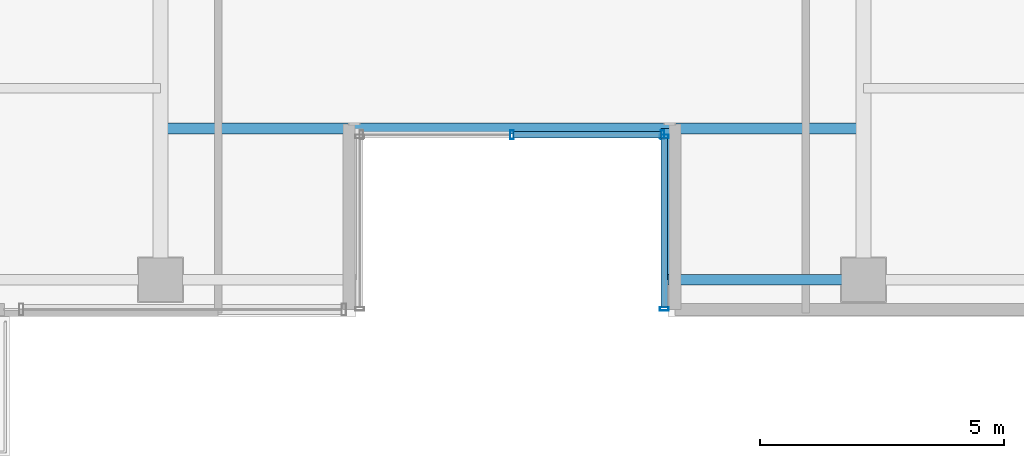
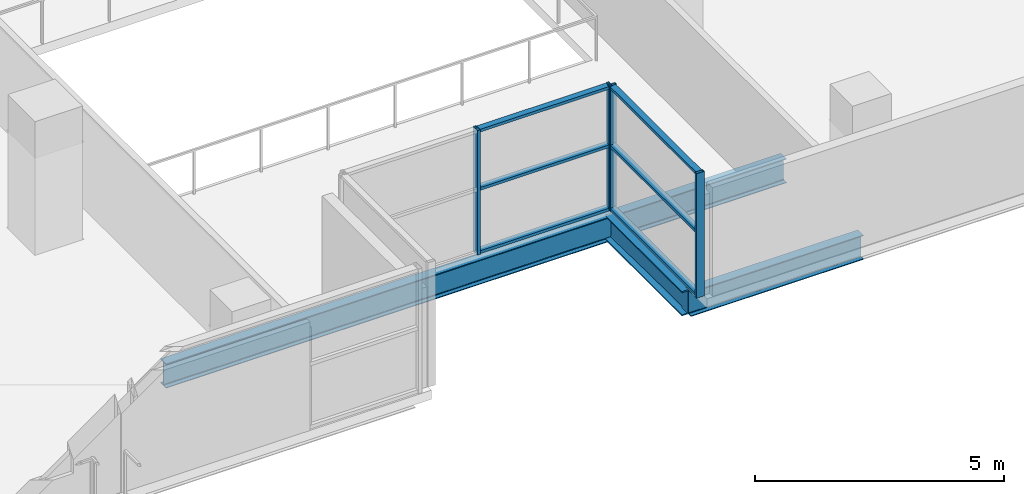
# One storey, part 12 of 30: 10 members, 3 beams, 2 elements without a shape of their own.
"""IFC4 building model written with IfcOpenShell, lengths in metres."""

from ifc_helpers import new_model, si_unit, direction, frame, origin, origin_2d, place, context, subcontext, project, spatial, hollow_rectangle, i_section, extrude, source, transform, mapped, material, layer, layer_set, material_profile, profile_set, type_object, element, aggregate, save


model = new_model("IFC4")

# Units and contexts
model_context = context("Model", 3, precision=1e-05, world=origin(), true_north=direction((0.0, 1.0)))
body_context = subcontext(model_context, "Body", "Model", "MODEL_VIEW")
ifc_project = project(units=[si_unit("LENGTHUNIT", "METRE"), si_unit("AREAUNIT", "SQUARE_METRE"), si_unit("VOLUMEUNIT", "CUBIC_METRE"), si_unit("PLANEANGLEUNIT", "RADIAN"), si_unit("MASSUNIT", "GRAM", prefix="KILO")], contexts=[model_context])

# Site, building, storey
site_placement = place(None, origin())
site = spatial("IfcSite", under=ifc_project, at=site_placement, CompositionType="ELEMENT")
building_placement = place(site_placement, origin())
building = spatial("IfcBuilding", under=site, at=building_placement, Name="Zarnakvel Exchange Tower", CompositionType="ELEMENT")
storey_placement = place(building_placement, frame((0.0, 0.0, 30.699951171875)))
storey = spatial("IfcBuildingStorey", under=building, at=storey_placement, Name="L07", CompositionType="ELEMENT", Elevation=30.699951171875)

# Beams
ifc_material_1 = material(Name="Steel S355", Category="steel")
ifc_material_profile_1 = material_profile(ifc_material_1, i_section(OverallWidth=0.300048828125, OverallDepth=0.60009765625, WebThickness=0.015380859375, FlangeThickness=0.030029296875, FilletRadius=0.027099609375, at=origin_2d()))
ifc_profile_set_1 = profile_set([ifc_material_profile_1], Name="Steel S355")
beam_type_1 = type_object("IfcBeamType", Name="G-04", PredefinedType="BEAM", material=ifc_profile_set_1)
beam_1_placement = place(storey_placement, frame((3.199951171875, -17.449951171875, -0.52490234375), z_axis=(0.0, 1.0, 0.0), x_axis=(-1.0, 0.0, 0.0)))
element("IfcBeam", 1, at=beam_1_placement, inside=storey, type_object=beam_type_1, Name="L07 South Slot East Cheek Beam", PredefinedType="BEAM", context=body_context, shape_type="SweptSolid", body=[
    extrude(i_section(OverallWidth=0.300048828125, OverallDepth=0.60009765625, WebThickness=0.015380859375, FlangeThickness=0.030029296875, FilletRadius=0.027099609375, at=origin_2d()), origin(), (0.0, 0.0, 1.0), 3.099853515625),
])
ifc_material_profile_2 = material_profile(ifc_material_1, i_section(OverallWidth=0.219970703125, OverallDepth=0.60009765625, WebThickness=0.011962890625, FlangeThickness=0.01904296875, FilletRadius=0.02392578125, at=origin_2d()))
ifc_profile_set_2 = profile_set([ifc_material_profile_2], Name="Steel S355")
beam_type_2 = type_object("IfcBeamType", Name="SP-01", PredefinedType="SPANDREL", material=ifc_profile_set_2)
beam_2_placement = place(storey_placement, frame((3.199951171875, -17.449951171875, -0.52490234375), z_axis=(1.0, 0.0, 0.0), x_axis=(0.0, 1.0, 0.0)))
element("IfcBeam", 2, at=beam_2_placement, inside=storey, type_object=beam_type_2, Name="L07 South Slot East Jamb Spandrel", PredefinedType="SPANDREL", context=body_context, shape_type="SweptSolid", body=[
    extrude(i_section(OverallWidth=0.219970703125, OverallDepth=0.60009765625, WebThickness=0.011962890625, FlangeThickness=0.01904296875, FilletRadius=0.02392578125, at=origin_2d()), origin(), (0.0, 0.0, 1.0), 4.0),
])
beam_3_placement = place(storey_placement, frame((-7.199951171875, -14.35009765625, -0.52490234375), z_axis=(1.0, 0.0, 0.0), x_axis=(0.0, 1.0, 0.0)))
element("IfcBeam", 3, at=beam_3_placement, inside=storey, type_object=beam_type_2, Name="L07 South Slot Head Trimmer Girder", PredefinedType="SPANDREL", context=body_context, shape_type="SweptSolid", body=[
    extrude(i_section(OverallWidth=0.219970703125, OverallDepth=0.60009765625, WebThickness=0.011962890625, FlangeThickness=0.01904296875, FilletRadius=0.02392578125, at=origin_2d()), origin(), (0.0, 0.0, 1.0), 14.39990234375),
])

# Curtain wall, members
ifc_material_2 = material(Name="Architectural Bronze Anodised Aluminium", Category="aluminium")
ifc_layer = layer(ifc_material_2, 0.179931640625)
ifc_layer_set = layer_set([ifc_layer], Name="Architectural Bronze Anodised Aluminium")
curtain_wall_type = type_object("IfcCurtainWallType", Name="CW-05", PredefinedType="NOTDEFINED", material=ifc_layer_set)
curtain_wall_1_placement = place(storey_placement, origin())
curtain_wall_1 = element("IfcCurtainWall", 4, at=curtain_wall_1_placement, inside=storey, type_object=curtain_wall_type, Name="L07 Curtain Wall CW-L07-SLE (CW-05)", PredefinedType="NOTDEFINED")
ifc_material_profile_3 = material_profile(ifc_material_2, hollow_rectangle(XDim=0.139892578125, YDim=0.070068359375, WallThickness=0.00390625, at=origin_2d()))
ifc_profile_set_3 = profile_set([ifc_material_profile_3], Name="Architectural Bronze Anodised Aluminium")
member_type_1 = type_object("IfcMemberType", Name="CWT-05", PredefinedType="USERDEFINED", material=ifc_profile_set_3)
shared_shape_1 = source(origin(), body_context, "Body", "SweptSolid", [
    extrude(hollow_rectangle(XDim=0.139892578125, YDim=0.070068359375, WallThickness=0.00390625, at=origin_2d()), origin(), (0.0, 0.0, 1.0), 3.4599609375),
])
member_1_placement = place(storey_placement, frame((3.1201171875, -14.550048828125, 0.03515625), z_axis=(0.0, -1.0, 0.0), x_axis=(1.0, 0.0, 0.0)))
member_1 = element("IfcMember", 5, at=member_1_placement, type_object=member_type_1, Name="CW-05 transom 1.1", ObjectType="TRANSOM", PredefinedType="USERDEFINED", context=body_context, shape_type="MappedRepresentation", body=[
    mapped(shared_shape_1, transform((0.0, 0.0, 0.0), x_axis=(1.0, 0.0, 0.0), y_axis=(0.0, 1.0, 0.0), z_axis=(0.0, 0.0, 1.0), scale=1.0)),
])
member_2_placement = place(storey_placement, frame((3.1201171875, -14.550048828125, 1.588623046875), z_axis=(0.0, -1.0, 0.0), x_axis=(1.0, 0.0, 0.0)))
member_2 = element("IfcMember", 6, at=member_2_placement, type_object=member_type_1, Name="CW-05 transom 1.2", ObjectType="TRANSOM", PredefinedType="USERDEFINED", context=body_context, shape_type="MappedRepresentation", body=[
    mapped(shared_shape_1, transform((0.0, 0.0, 0.0), x_axis=(1.0, 0.0, 0.0), y_axis=(0.0, 1.0, 0.0), z_axis=(0.0, 0.0, 1.0), scale=1.0)),
])
member_3_placement = place(storey_placement, frame((3.1201171875, -14.550048828125, 3.02001953125), z_axis=(0.0, -1.0, 0.0), x_axis=(1.0, 0.0, 0.0)))
member_3 = element("IfcMember", 7, at=member_3_placement, type_object=member_type_1, Name="CW-05 transom 1.3", ObjectType="TRANSOM", PredefinedType="USERDEFINED", context=body_context, shape_type="MappedRepresentation", body=[
    mapped(shared_shape_1, transform((0.0, 0.0, 0.0), x_axis=(1.0, 0.0, 0.0), y_axis=(0.0, 1.0, 0.0), z_axis=(0.0, 0.0, 1.0), scale=1.0)),
])

curtain_wall_2_placement = place(storey_placement, origin())
curtain_wall_2 = element("IfcCurtainWall", 8, at=curtain_wall_2_placement, inside=storey, type_object=curtain_wall_type, Name="L07 Curtain Wall CW-L07-SLB (CW-05)", PredefinedType="NOTDEFINED")
shared_shape_2 = source(origin(), body_context, "Body", "SweptSolid", [
    extrude(hollow_rectangle(XDim=0.139892578125, YDim=0.070068359375, WallThickness=0.00390625, at=origin_2d()), origin(), (0.0, 0.0, 1.0), 3.01513671875),
])
member_4_placement = place(storey_placement, frame((0.034912109375, -14.47998046875, 0.03515625), z_axis=(1.0, 0.0, 0.0), x_axis=(0.0, 1.0, 0.0)))
member_4 = element("IfcMember", 9, at=member_4_placement, type_object=member_type_1, Name="CW-05 transom 2.1", ObjectType="TRANSOM", PredefinedType="USERDEFINED", context=body_context, shape_type="MappedRepresentation", body=[
    mapped(shared_shape_2, transform((0.0, 0.0, 0.0), x_axis=(1.0, 0.0, 0.0), y_axis=(0.0, 1.0, 0.0), z_axis=(0.0, 0.0, 1.0), scale=1.0)),
])
member_5_placement = place(storey_placement, frame((0.034912109375, -14.47998046875, 1.588623046875), z_axis=(1.0, 0.0, 0.0), x_axis=(0.0, 1.0, 0.0)))
member_5 = element("IfcMember", 10, at=member_5_placement, type_object=member_type_1, Name="CW-05 transom 2.2", ObjectType="TRANSOM", PredefinedType="USERDEFINED", context=body_context, shape_type="MappedRepresentation", body=[
    mapped(shared_shape_2, transform((0.0, 0.0, 0.0), x_axis=(1.0, 0.0, 0.0), y_axis=(0.0, 1.0, 0.0), z_axis=(0.0, 0.0, 1.0), scale=1.0)),
])
member_6_placement = place(storey_placement, frame((0.034912109375, -14.47998046875, 3.02001953125), z_axis=(1.0, 0.0, 0.0), x_axis=(0.0, 1.0, 0.0)))
member_6 = element("IfcMember", 11, at=member_6_placement, type_object=member_type_1, Name="CW-05 transom 2.3", ObjectType="TRANSOM", PredefinedType="USERDEFINED", context=body_context, shape_type="MappedRepresentation", body=[
    mapped(shared_shape_2, transform((0.0, 0.0, 0.0), x_axis=(1.0, 0.0, 0.0), y_axis=(0.0, 1.0, 0.0), z_axis=(0.0, 0.0, 1.0), scale=1.0)),
])
ifc_material_profile_4 = material_profile(ifc_material_2, hollow_rectangle(XDim=0.179931640625, YDim=0.070068359375, WallThickness=0.00390625, at=origin_2d()))
ifc_profile_set_4 = profile_set([ifc_material_profile_4], Name="Architectural Bronze Anodised Aluminium")
member_type_2 = type_object("IfcMemberType", Name="CWM-05", PredefinedType="MULLION", material=ifc_profile_set_4)
shared_shape_3 = source(origin(), body_context, "Body", "SweptSolid", [
    extrude(hollow_rectangle(XDim=0.179931640625, YDim=0.070068359375, WallThickness=0.00390625, at=origin_2d()), origin(), (0.0, 0.0, 1.0), 3.054931640625),
])
member_7_placement = place(storey_placement, frame((0.0, -14.47998046875, 0.0), z_axis=(0.0, 0.0, 1.0), x_axis=(0.0, 1.0, 0.0)))
member_7 = element("IfcMember", 12, at=member_7_placement, type_object=member_type_2, Name="CW-05 mullion 2", PredefinedType="MULLION", context=body_context, shape_type="MappedRepresentation", body=[
    mapped(shared_shape_3, transform((0.0, 0.0, 0.0), x_axis=(1.0, 0.0, 0.0), y_axis=(0.0, 1.0, 0.0), z_axis=(0.0, 0.0, 1.0), scale=1.0)),
])
member_8_placement = place(storey_placement, frame((3.0849609375, -14.47998046875, 0.0), z_axis=(0.0, 0.0, 1.0), x_axis=(0.0, 1.0, 0.0)))
member_8 = element("IfcMember", 13, at=member_8_placement, type_object=member_type_2, Name="CW-05 mullion 3", PredefinedType="MULLION", context=body_context, shape_type="MappedRepresentation", body=[
    mapped(shared_shape_3, transform((0.0, 0.0, 0.0), x_axis=(1.0, 0.0, 0.0), y_axis=(0.0, 1.0, 0.0), z_axis=(0.0, 0.0, 1.0), scale=1.0)),
])
aggregate(curtain_wall_2, [member_7, member_8, member_4, member_5, member_6])

# Member
member_9_placement = place(storey_placement, frame((3.1201171875, -14.514892578125, 0.0), z_axis=(0.0, 0.0, 1.0), x_axis=(1.0, 0.0, 0.0)))
member_9 = element("IfcMember", 14, at=member_9_placement, type_object=member_type_2, Name="CW-05 mullion 1", PredefinedType="MULLION", context=body_context, shape_type="MappedRepresentation", body=[
    mapped(shared_shape_3, transform((0.0, 0.0, 0.0), x_axis=(1.0, 0.0, 0.0), y_axis=(0.0, 1.0, 0.0), z_axis=(0.0, 0.0, 1.0), scale=1.0)),
])

member_10_placement = place(storey_placement, frame((3.1201171875, -18.044921875, 0.0), z_axis=(0.0, 0.0, 1.0), x_axis=(1.0, 0.0, 0.0)))
member_10 = element("IfcMember", 15, at=member_10_placement, type_object=member_type_2, Name="CW-05 mullion 2", PredefinedType="MULLION", context=body_context, shape_type="MappedRepresentation", body=[
    mapped(shared_shape_3, transform((0.0, 0.0, 0.0), x_axis=(1.0, 0.0, 0.0), y_axis=(0.0, 1.0, 0.0), z_axis=(0.0, 0.0, 1.0), scale=1.0)),
])

aggregate(curtain_wall_1, [member_9, member_10, member_1, member_2, member_3])

save(model, "model.ifc")
